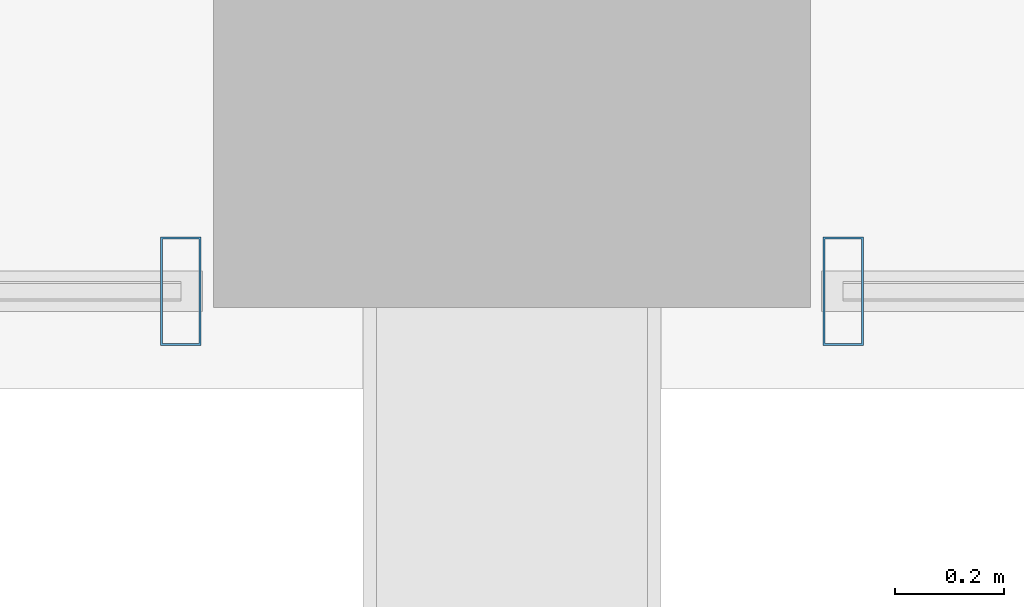
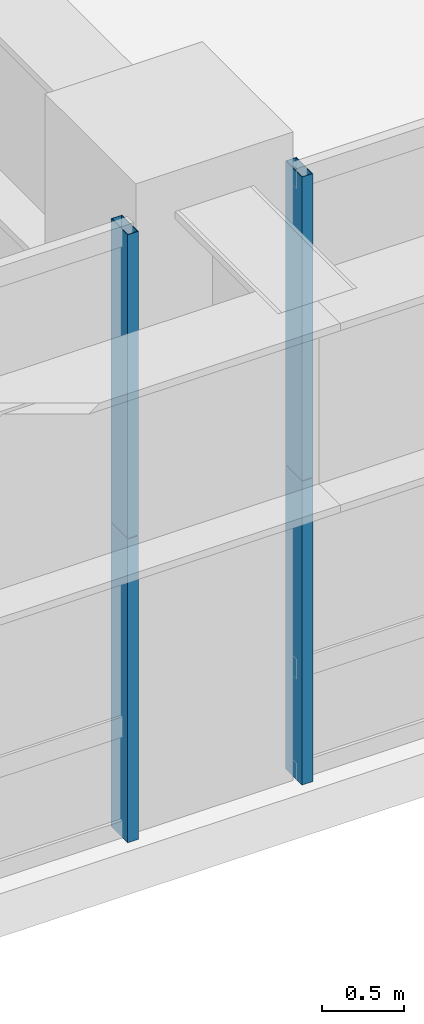
# One storey, part 11 of 34: 4 members, 2 elements without a shape of their own.
"""IFC4 building model written with IfcOpenShell, lengths in metres."""

import ifcopenshell
import ifcopenshell.guid

model = None  # the IFC model being written
_history = None  # IfcOwnerHistory: only IFC2X3 demands one
_inside = {}  # id of a spatial element -> (the spatial element, [elements in it])
_under = {}  # id of a project, library or spatial element -> (it, [spatial elements below it])
_declared = {}  # id of a project -> (the project, [libraries it declares])
_typed = {}  # id of a type object -> (the type object, [elements of that type])
_made_of = {}  # id of a material, layer set ... -> (it, [elements and type objects made of it])


def new_model(schema):
    """Start an empty IFC model of exactly this schema.

    Asked for "IFC4X3", IfcOpenShell would pick the latest addendum, in which some entities
    have other attributes; the version numbers below select the first issue.
    IFC2X3 requires an IfcOwnerHistory on every rooted entity: one is made here for all.
    """
    global model, _history
    if schema == "IFC4X3":
        model = ifcopenshell.file(schema_version=(4, 3, 0, 0))
    else:
        model = ifcopenshell.file(schema=schema)
    _inside.clear()
    _under.clear()
    _declared.clear()
    _typed.clear()
    _made_of.clear()
    _history = None
    if model.schema == "IFC2X3":
        org = make("IfcOrganization", Name="unknown")
        user = make(
            "IfcPersonAndOrganization",
            ThePerson=make("IfcPerson", FamilyName="unknown"),
            TheOrganization=org,
        )
        app = make(
            "IfcApplication",
            ApplicationDeveloper=org,
            Version="unknown",
            ApplicationFullName="unknown",
            ApplicationIdentifier="unknown",
        )
        _history = make(
            "IfcOwnerHistory",
            OwningUser=user,
            OwningApplication=app,
            ChangeAction="ADDED",
            CreationDate=0,
        )
    return model


def make(cls, **values):
    """One entity of the class cls with the attributes given. An attribute that is None is left unset."""
    return model.create_entity(
        cls, **{name: value for name, value in values.items() if value is not None}
    )


def rooted(cls, **values):
    """An entity with a GlobalId (a new one), such as an element, a storey or a relation."""
    return make(cls, GlobalId=ifcopenshell.guid.new(), OwnerHistory=_history, **values)


def si_unit(unit_type, name, prefix=None):
    """IfcSIUnit, for example si_unit("LENGTHUNIT", "METRE", prefix="MILLI")."""
    return make("IfcSIUnit", UnitType=unit_type, Prefix=prefix, Name=name)


def assignment(units):
    """IfcUnitAssignment: the units of a project."""
    return None if units is None else make("IfcUnitAssignment", Units=units)


def point(xyz):
    """IfcCartesianPoint."""
    return None if xyz is None else make("IfcCartesianPoint", Coordinates=xyz)


def direction(xyz):
    """IfcDirection."""
    return None if xyz is None else make("IfcDirection", DirectionRatios=xyz)


def frame(location, z_axis=None, x_axis=None):
    """IfcAxis2Placement3D, a coordinate frame: its origin and axes. An axis left out is left unset."""
    return make(
        "IfcAxis2Placement3D",
        Location=point(location),
        Axis=direction(z_axis),
        RefDirection=direction(x_axis),
    )


def frame_2d(location, x_axis=None):
    """IfcAxis2Placement2D, a coordinate frame in the plane: its origin and x axis."""
    return make(
        "IfcAxis2Placement2D", Location=point(location), RefDirection=direction(x_axis)
    )


def origin():
    """The frame at (0, 0, 0) with its axes left unset."""
    return frame((0.0, 0.0, 0.0))


def origin_2d():
    """The frame at (0, 0) in the plane with its x axis left unset."""
    return frame_2d((0.0, 0.0))


def place(relative_to, where):
    """IfcLocalPlacement: puts the frame where relative to a parent placement (None: the world)."""
    return make(
        "IfcLocalPlacement", PlacementRelTo=relative_to, RelativePlacement=where
    )


def context(
    kind, dimensions, precision=None, world=None, true_north=None, identifier=None
):
    """IfcGeometricRepresentationContext, for example the 3D "Model" context."""
    return make(
        "IfcGeometricRepresentationContext",
        ContextIdentifier=identifier,
        ContextType=kind,
        CoordinateSpaceDimension=dimensions,
        Precision=precision,
        WorldCoordinateSystem=world,
        TrueNorth=true_north,
    )


def subcontext(parent, identifier, kind, view, scale=None):
    """IfcGeometricRepresentationSubContext, for example "Body" below "Model"."""
    return make(
        "IfcGeometricRepresentationSubContext",
        ContextIdentifier=identifier,
        ContextType=kind,
        ParentContext=parent,
        TargetScale=scale,
        TargetView=view,
    )


def project(units=None, contexts=None):
    """IfcProject with its units and contexts."""
    return rooted(
        "IfcProject",
        Name="project",
        RepresentationContexts=contexts,
        UnitsInContext=assignment(units),
    )


def spatial(cls, under=None, at=None, **own):
    """A site, building, storey or space (cls), placed at a placement, below another one or the project."""
    s = rooted(cls, ObjectPlacement=at, **own)
    if under is not None:
        _under.setdefault(under.id(), (under, []))[1].append(s)
    return s


def profile(cls, at=None, kind="AREA", **sizes):
    """A parametric profile (cls). Its sizes go by their IFC names, for example OverallWidth=200.0."""
    return make(cls, ProfileType=kind, Position=at, **sizes)


def hollow_rectangle(**sizes):
    """IfcRectangleHollowProfileDef."""
    return profile("IfcRectangleHollowProfileDef", **sizes)


def extrude(swept, where, along, depth):
    """IfcExtrudedAreaSolid: the profile swept, set in the frame where, extruded along a direction by depth."""
    return make(
        "IfcExtrudedAreaSolid",
        SweptArea=swept,
        Position=where,
        ExtrudedDirection=direction(along),
        Depth=depth,
    )


def shape(context_of_items, identifier, shape_type, items):
    """IfcShapeRepresentation: the items that make up one representation, for example the "Body"."""
    return make(
        "IfcShapeRepresentation",
        ContextOfItems=context_of_items,
        RepresentationIdentifier=identifier,
        RepresentationType=shape_type,
        Items=items,
    )


def source(mapping_origin, context_of_items, identifier, shape_type, items):
    """IfcRepresentationMap: a shape defined once, which mapped items show again and again."""
    return make(
        "IfcRepresentationMap",
        MappingOrigin=mapping_origin,
        MappedRepresentation=shape(context_of_items, identifier, shape_type, items),
    )


def transform(
    local_origin,
    x_axis=None,
    y_axis=None,
    z_axis=None,
    scale=None,
    scale2=None,
    scale3=None,
    uniform=True,
):
    """IfcCartesianTransformationOperator3D, or its non-uniform kind. x_axis, y_axis, z_axis: its Axis1, 2, 3."""
    if uniform:
        return make(
            "IfcCartesianTransformationOperator3D",
            Axis1=direction(x_axis),
            Axis2=direction(y_axis),
            LocalOrigin=point(local_origin),
            Scale=scale,
            Axis3=direction(z_axis),
        )
    return make(
        "IfcCartesianTransformationOperator3DnonUniform",
        Axis1=direction(x_axis),
        Axis2=direction(y_axis),
        LocalOrigin=point(local_origin),
        Scale=scale,
        Axis3=direction(z_axis),
        Scale2=scale2,
        Scale3=scale3,
    )


def mapped(mapping_source, mapping_target):
    """IfcMappedItem: shows the shape of a source again, moved by a transform."""
    return make(
        "IfcMappedItem", MappingSource=mapping_source, MappingTarget=mapping_target
    )


def material(Name=None, Category=None):
    """IfcMaterial."""
    return make("IfcMaterial", Name=Name, Category=Category)


def layer(
    of_material, thickness, ventilated=None, Name=None, Category=None, Priority=None
):
    """IfcMaterialLayer: one layer of a wall or slab, of a material (None: an air gap)."""
    return make(
        "IfcMaterialLayer",
        Material=of_material,
        LayerThickness=thickness,
        IsVentilated=ventilated,
        Name=Name,
        Category=Category,
        Priority=Priority,
    )


def layer_set(layers, Name=None):
    """IfcMaterialLayerSet."""
    return make("IfcMaterialLayerSet", MaterialLayers=layers, LayerSetName=Name)


def material_profile(
    of_material, cross_section, Name=None, Category=None, Priority=None
):
    """IfcMaterialProfile: a cross section and its material."""
    return make(
        "IfcMaterialProfile",
        Name=Name,
        Material=of_material,
        Profile=cross_section,
        Priority=Priority,
        Category=Category,
    )


def profile_set(profiles, Name=None, composite=None):
    """IfcMaterialProfileSet."""
    return make(
        "IfcMaterialProfileSet",
        Name=Name,
        MaterialProfiles=profiles,
        CompositeProfile=composite,
    )


def made_of(thing, what):
    """Note that an element or type object is made of a material, layer set ...; save() writes the relation."""
    if what is not None:
        _made_of.setdefault(what.id(), (what, []))[1].append(thing)
    return thing


def type_object(cls, material=None, **own):
    """A type object (cls), such as IfcWallType, which elements share."""
    return made_of(rooted(cls, **own), material)


def element(
    cls,
    number,
    at=None,
    inside=None,
    cuts=None,
    type_object=None,
    material=None,
    context=None,
    identifier="Body",
    shape_type=None,
    held_by="IfcProductDefinitionShape",
    body=None,
    shapes=None,
    **own,
):
    """One element of the class cls, such as IfcWall. Its Tag is "e" and its number.

    at: its placement. inside: the storey or other place that contains it. cuts: it is an
    opening in that element (IfcRelVoidsElement). A single representation is given by context,
    identifier, shape_type and body (its items); several are given by shapes. held_by: the class
    of the entity that holds the representations. save() writes the other relations.
    """
    e = rooted(cls, Tag="e%d" % number, ObjectPlacement=at, **own)
    if body is not None:
        shapes = [shape(context, identifier, shape_type, body)]
    if shapes is not None:
        e.Representation = make(held_by, Representations=shapes)
    if inside is not None:
        _inside.setdefault(inside.id(), (inside, []))[1].append(e)
    if cuts is not None:
        rooted(
            "IfcRelVoidsElement", RelatingBuildingElement=cuts, RelatedOpeningElement=e
        )
    if type_object is not None:
        _typed.setdefault(type_object.id(), (type_object, []))[1].append(e)
    return made_of(e, material)


def aggregate(whole, parts):
    """IfcRelAggregates: a whole, such as a stair, and the parts it consists of."""
    return rooted("IfcRelAggregates", RelatingObject=whole, RelatedObjects=parts)


def save(model, path):
    """Write the relations noted so far, then the file.

    IfcRelAggregates (storeys below a building ...), IfcRelContainedInSpatialStructure (elements
    in a storey), IfcRelDefinesByType, IfcRelAssociatesMaterial and IfcRelDeclares: one each for
    every whole, place, type object, material and project.
    """
    for whole, parts in _under.values():
        aggregate(whole, parts)
    for where, things in _inside.values():
        rooted(
            "IfcRelContainedInSpatialStructure",
            RelatedElements=things,
            RelatingStructure=where,
        )
    for kind, things in _typed.values():
        rooted("IfcRelDefinesByType", RelatedObjects=things, RelatingType=kind)
    for what, things in _made_of.values():
        rooted("IfcRelAssociatesMaterial", RelatedObjects=things, RelatingMaterial=what)
    for by, libraries in _declared.values():
        rooted("IfcRelDeclares", RelatingContext=by, RelatedDefinitions=libraries)
    model.write(path)


model = new_model("IFC4")

# Units and contexts
model_context = context("Model", 3, precision=1e-05, world=origin(), true_north=direction((0.0, 1.0)))
body_context = subcontext(model_context, "Body", "Model", "MODEL_VIEW")
ifc_project = project(units=[si_unit("LENGTHUNIT", "METRE"), si_unit("AREAUNIT", "SQUARE_METRE"), si_unit("VOLUMEUNIT", "CUBIC_METRE"), si_unit("PLANEANGLEUNIT", "RADIAN"), si_unit("MASSUNIT", "GRAM", prefix="KILO"), si_unit("THERMODYNAMICTEMPERATUREUNIT", "KELVIN"), si_unit("POWERUNIT", "WATT")], contexts=[model_context])

# Site, building, storey
site_placement = place(None, origin())
site = spatial("IfcSite", under=ifc_project, at=site_placement, CompositionType="ELEMENT")
building_placement = place(site_placement, origin())
building = spatial("IfcBuilding", under=site, at=building_placement, Name="Yuzanri Waterfront Tower", CompositionType="ELEMENT")
storey_placement = place(building_placement, frame((0.0, 0.0, 25.800048828125)))
storey = spatial("IfcBuildingStorey", under=building, at=storey_placement, Name="L06", CompositionType="ELEMENT", Elevation=25.800048828125)

# Curtain wall, members
ifc_material_1 = material(Name="Anodized Architectural Bronze", Category="metal")
ifc_layer = layer(ifc_material_1, 0.159912109375)
ifc_layer_set = layer_set([ifc_layer], Name="Anodized Architectural Bronze")
curtain_wall_type = type_object("IfcCurtainWallType", Name="Anodized Bronze Podium Waterfront Double-Height Unitized Curtain Wall 8400", PredefinedType="NOTDEFINED", material=ifc_layer_set)
curtain_wall_1_placement = place(storey_placement, origin())
curtain_wall_1 = element("IfcCurtainWall", 1, at=curtain_wall_1_placement, inside=storey, type_object=curtain_wall_type, Name="L06 Curtain Wall CW-L06-S1", PredefinedType="NOTDEFINED")
ifc_material_2 = material(Name="Anodized Architectural Bronze", Category="metal")
ifc_material_profile = material_profile(ifc_material_2, hollow_rectangle(XDim=0.074951171875, YDim=0.199951171875, WallThickness=0.00390625, at=origin_2d()), Name="CWM 75x200")
ifc_profile_set = profile_set([ifc_material_profile], Name="Anodized Architectural Bronze")
member_type = type_object("IfcMemberType", Name="Anodized Bronze Primary Curtain-Wall Mullion 75x200", PredefinedType="MULLION", material=ifc_profile_set)
shared_shape = source(origin(), body_context, "Body", "SweptSolid", [
    extrude(hollow_rectangle(XDim=0.074951171875, YDim=0.199951171875, WallThickness=0.00390625, at=origin_2d()), origin(), (0.0, 0.0, 1.0), 2.248046875),
])
member_1_placement = place(storey_placement, frame((36.389892578125, 1.97998046875, 0.0), z_axis=(0.0, 0.0, 1.0), x_axis=(1.0, 0.0, 0.0)))
member_1 = element("IfcMember", 2, at=member_1_placement, type_object=member_type, Name="CW-L06-S1 Lower Mullion 02", PredefinedType="MULLION", context=body_context, shape_type="MappedRepresentation", body=[
    mapped(shared_shape, transform((0.0, 0.0, 0.0), scale=1.0)),
])
member_2_placement = place(storey_placement, frame((36.389892578125, 1.97998046875, 2.251953125), z_axis=(0.0, 0.0, 1.0), x_axis=(1.0, 0.0, 0.0)))
member_2 = element("IfcMember", 3, at=member_2_placement, type_object=member_type, Name="CW-L06-S1 Upper Mullion 02", PredefinedType="MULLION", context=body_context, shape_type="MappedRepresentation", body=[
    mapped(shared_shape, transform((0.0, 0.0, 0.0), scale=1.0)),
])
aggregate(curtain_wall_1, [member_1, member_2])

curtain_wall_2_placement = place(storey_placement, origin())
curtain_wall_2 = element("IfcCurtainWall", 4, at=curtain_wall_2_placement, inside=storey, type_object=curtain_wall_type, Name="L06 Curtain Wall CW-L06-S2", PredefinedType="NOTDEFINED")
member_3_placement = place(storey_placement, frame((37.610107421875, 1.97998046875, 0.0), z_axis=(0.0, 0.0, 1.0), x_axis=(1.0, 0.0, 0.0)))
member_3 = element("IfcMember", 5, at=member_3_placement, type_object=member_type, Name="CW-L06-S2 Lower Mullion 00", PredefinedType="MULLION", context=body_context, shape_type="MappedRepresentation", body=[
    mapped(shared_shape, transform((0.0, 0.0, 0.0), scale=1.0)),
])
member_4_placement = place(storey_placement, frame((37.610107421875, 1.97998046875, 2.251953125), z_axis=(0.0, 0.0, 1.0), x_axis=(1.0, 0.0, 0.0)))
member_4 = element("IfcMember", 6, at=member_4_placement, type_object=member_type, Name="CW-L06-S2 Upper Mullion 00", PredefinedType="MULLION", context=body_context, shape_type="MappedRepresentation", body=[
    mapped(shared_shape, transform((0.0, 0.0, 0.0), scale=1.0)),
])
aggregate(curtain_wall_2, [member_3, member_4])

save(model, "model.ifc")
